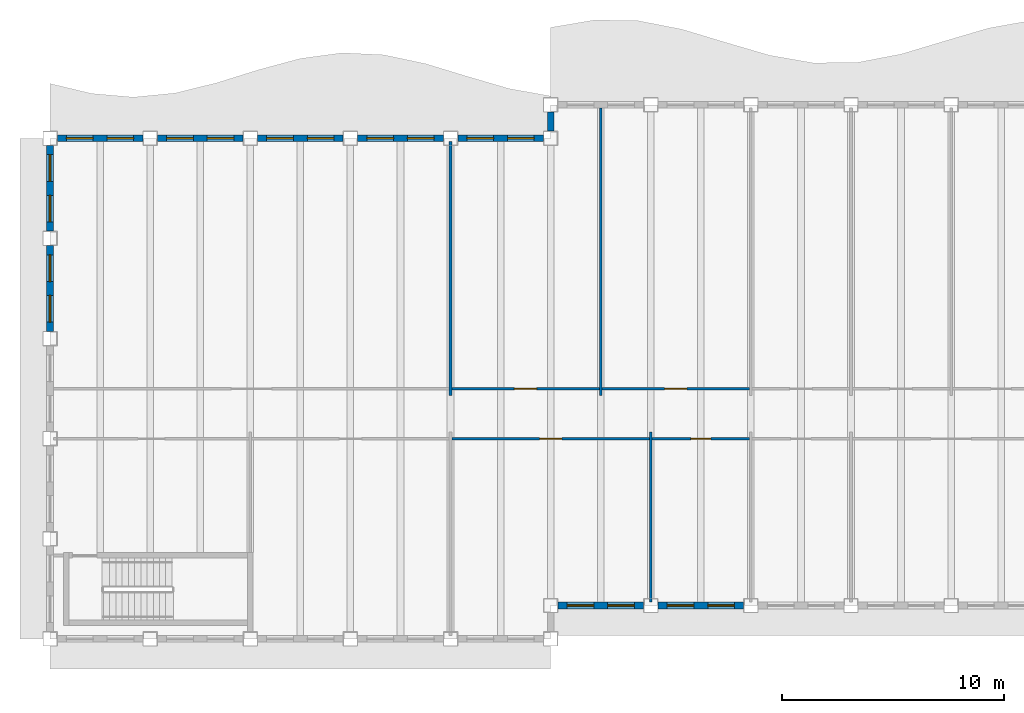
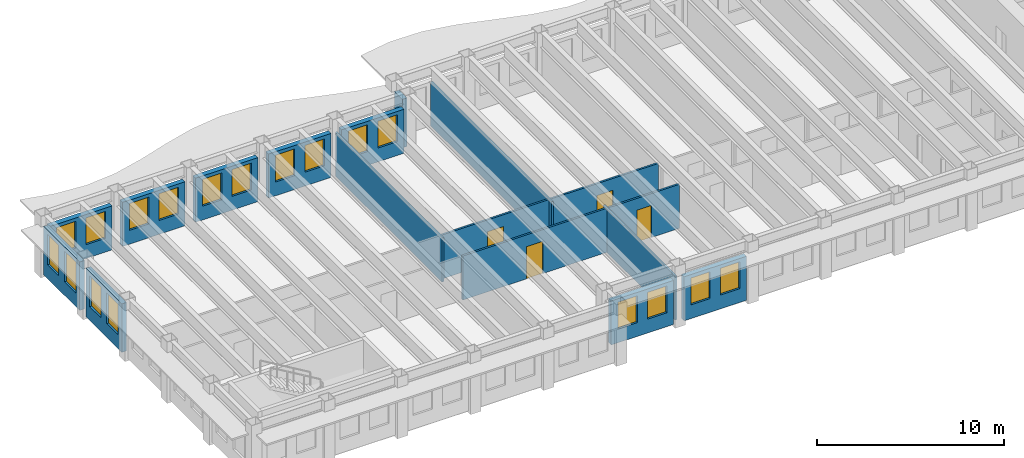
# One storey, part 3 of 12: 18 windows, 17 walls, 4 doors, 22 openings.
"""IFC4 building model written with IfcOpenShell, lengths in metres."""

from ifc_helpers import new_model, si_unit, direction, frame, frame_2d, origin, place, context, subcontext, project, spatial, rectangle, extrude, material, layer, layer_set, type_object, element, fill, save


model = new_model("IFC4")

# Units and contexts
model_context = context("Model", 3, precision=1e-05, world=origin(), true_north=direction((0.0, 1.0)))
body_context = subcontext(model_context, "Body", "Model", "MODEL_VIEW")
ifc_project = project(units=[si_unit("LENGTHUNIT", "METRE"), si_unit("AREAUNIT", "SQUARE_METRE"), si_unit("VOLUMEUNIT", "CUBIC_METRE"), si_unit("PLANEANGLEUNIT", "RADIAN"), si_unit("MASSUNIT", "GRAM", prefix="KILO")], contexts=[model_context])

# Site, building, storey
site_placement = place(None, origin())
site = spatial("IfcSite", under=ifc_project, at=site_placement, CompositionType="ELEMENT")
building_placement = place(site_placement, origin())
building = spatial("IfcBuilding", under=site, at=building_placement, Name="Sennacour Bend Tower", CompositionType="ELEMENT")
storey_placement = place(building_placement, frame((0.0, 0.0, 257.0)))
storey = spatial("IfcBuildingStorey", under=building, at=storey_placement, Name="L59", CompositionType="ELEMENT", Elevation=257.0)

# Walls
ifc_material_1 = material(Name="Plasterboard partition on steel studs", Category="steel")
ifc_layer_1 = layer(ifc_material_1, 0.1201171875, Name="Plasterboard partition on steel studs", Category="steel")
ifc_layer_set_1 = layer_set([ifc_layer_1], Name="Plasterboard partition on steel studs")
wall_type_1 = type_object("IfcWallType", Name="Partition 120", PredefinedType="PARTITIONING", material=ifc_layer_set_1)
wall_1_placement = place(storey_placement, frame((18.0, 10.949951171875, 0.0), z_axis=(0.0, 0.0, 1.0), x_axis=(0.0, 1.0, 0.0)))
element("IfcWall", 1, at=wall_1_placement, inside=storey, type_object=wall_type_1, Name="P-L59-W007a", PredefinedType="PARTITIONING", context=body_context, shape_type="SweptSolid", body=[
    extrude(rectangle(XDim=11.400146484375, YDim=0.1201171875, at=frame_2d((5.7001953125, 0.0))), origin(), (0.0, 0.0, 1.0), 2.8701171875),
])
wall_2_placement = place(storey_placement, frame((24.75, 10.949951171875, 0.0), z_axis=(0.0, 0.0, 1.0), x_axis=(0.0, 1.0, 0.0)))
element("IfcWall", 2, at=wall_2_placement, inside=storey, type_object=wall_type_1, Name="P-L59-W008a", PredefinedType="PARTITIONING", context=body_context, shape_type="SweptSolid", body=[
    extrude(rectangle(XDim=12.900146484375, YDim=0.1201171875, at=frame_2d((6.4501953125, 0.0))), origin(), (0.0, 0.0, 1.0), 2.8701171875),
])
wall_3_placement = place(storey_placement, frame((27.0, 1.64990234375, 0.0), z_axis=(0.0, 0.0, 1.0), x_axis=(0.0, 1.0, 0.0)))
element("IfcWall", 3, at=wall_3_placement, inside=storey, type_object=wall_type_1, Name="P-L59-W009a", PredefinedType="PARTITIONING", context=body_context, shape_type="SweptSolid", body=[
    extrude(rectangle(XDim=7.650146484375, YDim=0.1201171875, at=frame_2d((3.8251953125, 0.0))), origin(), (0.0, 0.0, 1.0), 2.8701171875),
])

# Wall, opening, door
wall_4_placement = place(storey_placement, frame((18.06005859375, 9.0, 0.0), z_axis=(0.0, 0.0, 1.0), x_axis=(1.0, 0.0, 0.0)))
wall_4 = element("IfcWall", 4, at=wall_4_placement, inside=storey, type_object=wall_type_1, Name="P-L59-W043ac", PredefinedType="PARTITIONING", context=body_context, shape_type="SweptSolid", body=[
    extrude(rectangle(XDim=8.8798828125, YDim=0.1201171875, at=frame_2d((4.43994140625, 0.0))), origin(), (0.0, 0.0, 1.0), 2.8701171875),
])
opening_1_placement = place(wall_4_placement, frame((3.93994140625, 0.0, 0.0)))
opening_1 = element("IfcOpeningElement", 5, at=opening_1_placement, cuts=wall_4, Name="Opening OD2", PredefinedType="OPENING", context=body_context, shape_type="SweptSolid", body=[
    extrude(rectangle(XDim=1.0, YDim=2.10009765625, at=frame_2d((0.5, 1.050048828125))), frame((0.0, 0.070068359375, 0.0), z_axis=(0.0, -1.0, 0.0), x_axis=(1.0, 0.0, 0.0)), (0.0, 0.0, 1.0), 0.14013671875),
])
ifc_material_2 = material(Name="Timber", Category="wood")
door_type_1 = type_object("IfcDoorType", Name="DR-OFFICE-1000", OperationType="NOTDEFINED", PredefinedType="DOOR", material=ifc_material_2)
door_1_placement = place(opening_1_placement, origin())
door_1 = element("IfcDoor", 6, at=door_1_placement, inside=storey, type_object=door_type_1, Name="Door", OperationType="SINGLE_SWING_LEFT", OverallHeight=2.10009765625, OverallWidth=1.0, PredefinedType="DOOR", context=body_context, shape_type="SweptSolid", body=[
    extrude(rectangle(XDim=1.0, YDim=2.10009765625, at=frame_2d((0.5, 1.050048828125))), frame((0.0, 0.02490234375, 0.0), z_axis=(0.0, -1.0, 0.0), x_axis=(1.0, 0.0, 0.0)), (0.0, 0.0, 1.0), 0.050048828125),
])
fill(opening_1, door_1)

wall_5_placement = place(storey_placement, frame((18.06005859375, 11.25, 0.0), z_axis=(0.0, 0.0, 1.0), x_axis=(1.0, 0.0, 0.0)))
wall_5 = element("IfcWall", 7, at=wall_5_placement, inside=storey, type_object=wall_type_1, Name="P-L59-W046ab", PredefinedType="PARTITIONING", context=body_context, shape_type="SweptSolid", body=[
    extrude(rectangle(XDim=6.6298828125, YDim=0.1201171875, at=frame_2d((3.31494140625, 0.0))), origin(), (0.0, 0.0, 1.0), 2.8701171875),
])
opening_2_placement = place(wall_5_placement, frame((2.81494140625, 0.0, 0.0)))
opening_2 = element("IfcOpeningElement", 8, at=opening_2_placement, cuts=wall_5, Name="Opening OD2", PredefinedType="OPENING", context=body_context, shape_type="SweptSolid", body=[
    extrude(rectangle(XDim=1.0, YDim=2.10009765625, at=frame_2d((0.5, 1.050048828125))), frame((0.0, 0.070068359375, 0.0), z_axis=(0.0, -1.0, 0.0), x_axis=(1.0, 0.0, 0.0)), (0.0, 0.0, 1.0), 0.14013671875),
])
door_2_placement = place(opening_2_placement, origin())
door_2 = element("IfcDoor", 9, at=door_2_placement, inside=storey, type_object=door_type_1, Name="Door", OperationType="SINGLE_SWING_LEFT", OverallHeight=2.10009765625, OverallWidth=1.0, PredefinedType="DOOR", context=body_context, shape_type="SweptSolid", body=[
    extrude(rectangle(XDim=1.0, YDim=2.10009765625, at=frame_2d((0.5, 1.050048828125))), frame((0.0, 0.02490234375, 0.0), z_axis=(0.0, -1.0, 0.0), x_axis=(1.0, 0.0, 0.0)), (0.0, 0.0, 1.0), 0.050048828125),
])
fill(opening_2, door_2)

wall_6_placement = place(storey_placement, frame((24.81005859375, 11.25, 0.0), z_axis=(0.0, 0.0, 1.0), x_axis=(1.0, 0.0, 0.0)))
wall_6 = element("IfcWall", 10, at=wall_6_placement, inside=storey, type_object=wall_type_1, Name="P-L59-W046ac", PredefinedType="PARTITIONING", context=body_context, shape_type="SweptSolid", body=[
    extrude(rectangle(XDim=6.6298828125, YDim=0.1201171875, at=frame_2d((3.31494140625, 0.0))), origin(), (0.0, 0.0, 1.0), 2.8701171875),
])
opening_3_placement = place(wall_6_placement, frame((2.81494140625, 0.0, 0.0)))
opening_3 = element("IfcOpeningElement", 11, at=opening_3_placement, cuts=wall_6, Name="Opening OD2", PredefinedType="OPENING", context=body_context, shape_type="SweptSolid", body=[
    extrude(rectangle(XDim=1.0, YDim=2.10009765625, at=frame_2d((0.5, 1.050048828125))), frame((0.0, 0.070068359375, 0.0), z_axis=(0.0, -1.0, 0.0), x_axis=(1.0, 0.0, 0.0)), (0.0, 0.0, 1.0), 0.14013671875),
])
door_3_placement = place(opening_3_placement, origin())
door_3 = element("IfcDoor", 12, at=door_3_placement, inside=storey, type_object=door_type_1, Name="Door", OperationType="SINGLE_SWING_LEFT", OverallHeight=2.10009765625, OverallWidth=1.0, PredefinedType="DOOR", context=body_context, shape_type="SweptSolid", body=[
    extrude(rectangle(XDim=1.0, YDim=2.10009765625, at=frame_2d((0.5, 1.050048828125))), frame((0.0, 0.02490234375, 0.0), z_axis=(0.0, -1.0, 0.0), x_axis=(1.0, 0.0, 0.0)), (0.0, 0.0, 1.0), 0.050048828125),
])
fill(opening_3, door_3)

ifc_layer_2 = layer(ifc_material_1, 0.1201171875, Name="Plasterboard partition on steel studs", Category="steel")
ifc_layer_set_2 = layer_set([ifc_layer_2], Name="Plasterboard partition on steel studs")
wall_type_2 = type_object("IfcWallType", Name="Partition 120 EI 60", PredefinedType="PARTITIONING", material=ifc_layer_set_2)
wall_7_placement = place(storey_placement, frame((27.06005859375, 9.0, 0.0), z_axis=(0.0, 0.0, 1.0), x_axis=(1.0, 0.0, 0.0)))
wall_7 = element("IfcWall", 13, at=wall_7_placement, inside=storey, type_object=wall_type_2, Name="P-L59-W043ad", PredefinedType="PARTITIONING", context=body_context, shape_type="SweptSolid", body=[
    extrude(rectangle(XDim=4.3798828125, YDim=0.1201171875, at=frame_2d((2.18994140625, 0.0))), origin(), (0.0, 0.0, 1.0), 2.8701171875),
])
opening_4_placement = place(wall_7_placement, frame((1.739990234375, 0.0, 0.0)))
opening_4 = element("IfcOpeningElement", 14, at=opening_4_placement, cuts=wall_7, Name="Opening SV", PredefinedType="OPENING", context=body_context, shape_type="SweptSolid", body=[
    extrude(rectangle(XDim=0.89990234375, YDim=2.10009765625, at=frame_2d((0.449951171875, 1.050048828125))), frame((0.0, 0.070068359375, 0.0), z_axis=(0.0, -1.0, 0.0), x_axis=(1.0, 0.0, 0.0)), (0.0, 0.0, 1.0), 0.14013671875),
])
ifc_material_3 = material(Name="Painted steel", Category="steel")
door_type_2 = type_object("IfcDoorType", Name="DR-SERVICE-900", OperationType="NOTDEFINED", PredefinedType="DOOR", material=ifc_material_3)
door_4_placement = place(opening_4_placement, origin())
door_4 = element("IfcDoor", 15, at=door_4_placement, inside=storey, type_object=door_type_2, Name="Door", OperationType="SINGLE_SWING_LEFT", OverallHeight=2.10009765625, OverallWidth=0.89990234375, PredefinedType="DOOR", context=body_context, shape_type="SweptSolid", body=[
    extrude(rectangle(XDim=0.89990234375, YDim=2.10009765625, at=frame_2d((0.449951171875, 1.050048828125))), frame((0.0, 0.02490234375, 0.0), z_axis=(0.0, -1.0, 0.0), x_axis=(1.0, 0.0, 0.0)), (0.0, 0.0, 1.0), 0.050048828125),
])
fill(opening_4, door_4)

# Wall, openings, windows
ifc_material_4 = material(Name="Warm limestone cladding", Category="masonry")
ifc_layer_3 = layer(ifc_material_4, 0.050048828125, Name="Warm limestone cladding", Category="masonry")
ifc_material_5 = material(Name="Precast concrete C40/50", Category="concrete")
ifc_layer_4 = layer(ifc_material_5, 0.25, Name="Precast concrete C40/50", Category="concrete")
ifc_layer_set_3 = layer_set([ifc_layer_3, ifc_layer_4], Name="Precast concrete C40/50 with limestone cladding")
wall_type_3 = type_object("IfcWallType", Name="STONE-CLAD PRECAST SPANDREL 300", PredefinedType="STANDARD", material=ifc_layer_set_3)
wall_8_placement = place(storey_placement, frame((22.824951171875, 1.5, 0.0), z_axis=(0.0, 0.0, 1.0), x_axis=(1.0, 0.0, 0.0)))
wall_8 = element("IfcWall", 16, at=wall_8_placement, inside=storey, type_object=wall_type_3, Name="Stone spandrel and pier wall L59 01.00", PredefinedType="STANDARD", context=body_context, shape_type="SweptSolid", body=[
    extrude(rectangle(XDim=3.85009765625, YDim=0.300048828125, at=frame_2d((1.925048828125, 0.0))), origin(), (0.0, 0.0, 1.0), 2.8701171875),
])
opening_5_placement = place(wall_8_placement, frame((0.41259765625, 0.0, 0.89990234375)))
opening_5 = element("IfcOpeningElement", 17, at=opening_5_placement, cuts=wall_8, Name="Opening W16", PredefinedType="OPENING", context=body_context, shape_type="SweptSolid", body=[
    extrude(rectangle(XDim=1.199951171875, YDim=1.75, at=frame_2d((0.60009765625, 0.875))), frame((0.0, 0.16015625, 0.0), z_axis=(0.0, -1.0, 0.0), x_axis=(1.0, 0.0, 0.0)), (0.0, 0.0, 1.0), 0.320068359375),
])
opening_6_placement = place(wall_8_placement, frame((2.237548828125, 0.0, 0.89990234375)))
opening_6 = element("IfcOpeningElement", 18, at=opening_6_placement, cuts=wall_8, Name="Opening W16", PredefinedType="OPENING", context=body_context, shape_type="SweptSolid", body=[
    extrude(rectangle(XDim=1.199951171875, YDim=1.75, at=frame_2d((0.60009765625, 0.875))), frame((0.0, 0.16015625, 0.0), z_axis=(0.0, -1.0, 0.0), x_axis=(1.0, 0.0, 0.0)), (0.0, 0.0, 1.0), 0.320068359375),
])
ifc_material_6 = material(Name="Clear low-emissivity glass", Category="glass")
window_type_1 = type_object("IfcWindowType", Name="WIN-RIBBON-1200x1750", PartitioningType="SINGLE_PANEL", PredefinedType="WINDOW", material=ifc_material_6)
window_1_placement = place(opening_5_placement, origin())
window_1 = element("IfcWindow", 19, at=window_1_placement, inside=storey, type_object=window_type_1, Name="Ribbon window L59 01.00.0", OverallHeight=1.75, OverallWidth=1.199951171875, PartitioningType="SINGLE_PANEL", PredefinedType="WINDOW", context=body_context, shape_type="SweptSolid", body=[
    extrude(rectangle(XDim=1.199951171875, YDim=1.75, at=frame_2d((0.60009765625, 0.875))), frame((0.0, 0.030029296875, 0.0), z_axis=(0.0, -1.0, 0.0), x_axis=(1.0, 0.0, 0.0)), (0.0, 0.0, 1.0), 0.06005859375),
])
fill(opening_5, window_1)
window_2_placement = place(opening_6_placement, origin())
window_2 = element("IfcWindow", 20, at=window_2_placement, inside=storey, type_object=window_type_1, Name="Ribbon window L59 01.00.1", OverallHeight=1.75, OverallWidth=1.199951171875, PartitioningType="SINGLE_PANEL", PredefinedType="WINDOW", context=body_context, shape_type="SweptSolid", body=[
    extrude(rectangle(XDim=1.199951171875, YDim=1.75, at=frame_2d((0.60009765625, 0.875))), frame((0.0, 0.030029296875, 0.0), z_axis=(0.0, -1.0, 0.0), x_axis=(1.0, 0.0, 0.0)), (0.0, 0.0, 1.0), 0.06005859375),
])
fill(opening_6, window_2)

wall_9_placement = place(storey_placement, frame((27.324951171875, 1.5, 0.0), z_axis=(0.0, 0.0, 1.0), x_axis=(1.0, 0.0, 0.0)))
wall_9 = element("IfcWall", 21, at=wall_9_placement, inside=storey, type_object=wall_type_3, Name="Stone spandrel and pier wall L59 01.01", PredefinedType="STANDARD", context=body_context, shape_type="SweptSolid", body=[
    extrude(rectangle(XDim=3.85009765625, YDim=0.300048828125, at=frame_2d((1.925048828125, 0.0))), origin(), (0.0, 0.0, 1.0), 2.8701171875),
])
opening_7_placement = place(wall_9_placement, frame((0.41259765625, 0.0, 0.89990234375)))
opening_7 = element("IfcOpeningElement", 22, at=opening_7_placement, cuts=wall_9, Name="Opening W16", PredefinedType="OPENING", context=body_context, shape_type="SweptSolid", body=[
    extrude(rectangle(XDim=1.199951171875, YDim=1.75, at=frame_2d((0.60009765625, 0.875))), frame((0.0, 0.16015625, 0.0), z_axis=(0.0, -1.0, 0.0), x_axis=(1.0, 0.0, 0.0)), (0.0, 0.0, 1.0), 0.320068359375),
])
opening_8_placement = place(wall_9_placement, frame((2.237548828125, 0.0, 0.89990234375)))
opening_8 = element("IfcOpeningElement", 23, at=opening_8_placement, cuts=wall_9, Name="Opening W16", PredefinedType="OPENING", context=body_context, shape_type="SweptSolid", body=[
    extrude(rectangle(XDim=1.199951171875, YDim=1.75, at=frame_2d((0.60009765625, 0.875))), frame((0.0, 0.16015625, 0.0), z_axis=(0.0, -1.0, 0.0), x_axis=(1.0, 0.0, 0.0)), (0.0, 0.0, 1.0), 0.320068359375),
])
window_3_placement = place(opening_7_placement, origin())
window_3 = element("IfcWindow", 24, at=window_3_placement, inside=storey, type_object=window_type_1, Name="Ribbon window L59 01.01.0", OverallHeight=1.75, OverallWidth=1.199951171875, PartitioningType="SINGLE_PANEL", PredefinedType="WINDOW", context=body_context, shape_type="SweptSolid", body=[
    extrude(rectangle(XDim=1.199951171875, YDim=1.75, at=frame_2d((0.60009765625, 0.875))), frame((0.0, 0.030029296875, 0.0), z_axis=(0.0, -1.0, 0.0), x_axis=(1.0, 0.0, 0.0)), (0.0, 0.0, 1.0), 0.06005859375),
])
fill(opening_7, window_3)
window_4_placement = place(opening_8_placement, origin())
window_4 = element("IfcWindow", 25, at=window_4_placement, inside=storey, type_object=window_type_1, Name="Ribbon window L59 01.01.1", OverallHeight=1.75, OverallWidth=1.199951171875, PartitioningType="SINGLE_PANEL", PredefinedType="WINDOW", context=body_context, shape_type="SweptSolid", body=[
    extrude(rectangle(XDim=1.199951171875, YDim=1.75, at=frame_2d((0.60009765625, 0.875))), frame((0.0, 0.030029296875, 0.0), z_axis=(0.0, -1.0, 0.0), x_axis=(1.0, 0.0, 0.0)), (0.0, 0.0, 1.0), 0.06005859375),
])
fill(opening_8, window_4)

# Wall
wall_10_placement = place(storey_placement, frame((22.5, 23.675048828125, 0.0), z_axis=(0.0, 0.0, 1.0), x_axis=(0.0, -1.0, 0.0)))
element("IfcWall", 26, at=wall_10_placement, inside=storey, type_object=wall_type_3, Name="Stone spandrel and pier wall L59 08.00", PredefinedType="STANDARD", context=body_context, shape_type="SweptSolid", body=[
    extrude(rectangle(XDim=0.85009765625, YDim=0.300048828125, at=frame_2d((0.425048828125, 0.0))), origin(), (0.0, 0.0, 1.0), 3.162109375),
])

# Wall, openings, windows
wall_11_placement = place(storey_placement, frame((22.175048828125, 22.5, 0.0), z_axis=(0.0, 0.0, 1.0), x_axis=(-1.0, 0.0, 0.0)))
wall_11 = element("IfcWall", 27, at=wall_11_placement, inside=storey, type_object=wall_type_3, Name="Stone spandrel and pier wall L59 09.00", PredefinedType="STANDARD", context=body_context, shape_type="SweptSolid", body=[
    extrude(rectangle(XDim=3.85009765625, YDim=0.300048828125, at=frame_2d((1.925048828125, 0.0))), origin(), (0.0, 0.0, 1.0), 2.8701171875),
])
opening_9_placement = place(wall_11_placement, frame((0.41259765625, 0.0, 0.89990234375)))
opening_9 = element("IfcOpeningElement", 28, at=opening_9_placement, cuts=wall_11, Name="Opening W16", PredefinedType="OPENING", context=body_context, shape_type="SweptSolid", body=[
    extrude(rectangle(XDim=1.199951171875, YDim=1.75, at=frame_2d((0.60009765625, 0.875))), frame((0.0, 0.16015625, 0.0), z_axis=(0.0, -1.0, 0.0), x_axis=(1.0, 0.0, 0.0)), (0.0, 0.0, 1.0), 0.320068359375),
])
opening_10_placement = place(wall_11_placement, frame((2.237548828125, 0.0, 0.89990234375)))
opening_10 = element("IfcOpeningElement", 29, at=opening_10_placement, cuts=wall_11, Name="Opening W16", PredefinedType="OPENING", context=body_context, shape_type="SweptSolid", body=[
    extrude(rectangle(XDim=1.199951171875, YDim=1.75, at=frame_2d((0.60009765625, 0.875))), frame((0.0, 0.16015625, 0.0), z_axis=(0.0, -1.0, 0.0), x_axis=(1.0, 0.0, 0.0)), (0.0, 0.0, 1.0), 0.320068359375),
])
window_5_placement = place(opening_9_placement, origin())
window_5 = element("IfcWindow", 30, at=window_5_placement, inside=storey, type_object=window_type_1, Name="Ribbon window L59 09.00.0", OverallHeight=1.75, OverallWidth=1.199951171875, PartitioningType="SINGLE_PANEL", PredefinedType="WINDOW", context=body_context, shape_type="SweptSolid", body=[
    extrude(rectangle(XDim=1.199951171875, YDim=1.75, at=frame_2d((0.60009765625, 0.875))), frame((0.0, 0.030029296875, 0.0), z_axis=(0.0, -1.0, 0.0), x_axis=(1.0, 0.0, 0.0)), (0.0, 0.0, 1.0), 0.06005859375),
])
fill(opening_9, window_5)
window_6_placement = place(opening_10_placement, origin())
window_6 = element("IfcWindow", 31, at=window_6_placement, inside=storey, type_object=window_type_1, Name="Ribbon window L59 09.00.1", OverallHeight=1.75, OverallWidth=1.199951171875, PartitioningType="SINGLE_PANEL", PredefinedType="WINDOW", context=body_context, shape_type="SweptSolid", body=[
    extrude(rectangle(XDim=1.199951171875, YDim=1.75, at=frame_2d((0.60009765625, 0.875))), frame((0.0, 0.030029296875, 0.0), z_axis=(0.0, -1.0, 0.0), x_axis=(1.0, 0.0, 0.0)), (0.0, 0.0, 1.0), 0.06005859375),
])
fill(opening_10, window_6)

wall_12_placement = place(storey_placement, frame((17.675048828125, 22.5, 0.0), z_axis=(0.0, 0.0, 1.0), x_axis=(-1.0, 0.0, 0.0)))
wall_12 = element("IfcWall", 32, at=wall_12_placement, inside=storey, type_object=wall_type_3, Name="Stone spandrel and pier wall L59 09.01", PredefinedType="STANDARD", context=body_context, shape_type="SweptSolid", body=[
    extrude(rectangle(XDim=3.85009765625, YDim=0.300048828125, at=frame_2d((1.925048828125, 0.0))), origin(), (0.0, 0.0, 1.0), 2.8701171875),
])
opening_11_placement = place(wall_12_placement, frame((0.41259765625, 0.0, 0.89990234375)))
opening_11 = element("IfcOpeningElement", 33, at=opening_11_placement, cuts=wall_12, Name="Opening W16", PredefinedType="OPENING", context=body_context, shape_type="SweptSolid", body=[
    extrude(rectangle(XDim=1.199951171875, YDim=1.75, at=frame_2d((0.60009765625, 0.875))), frame((0.0, 0.16015625, 0.0), z_axis=(0.0, -1.0, 0.0), x_axis=(1.0, 0.0, 0.0)), (0.0, 0.0, 1.0), 0.320068359375),
])
opening_12_placement = place(wall_12_placement, frame((2.237548828125, 0.0, 0.89990234375)))
opening_12 = element("IfcOpeningElement", 34, at=opening_12_placement, cuts=wall_12, Name="Opening W16", PredefinedType="OPENING", context=body_context, shape_type="SweptSolid", body=[
    extrude(rectangle(XDim=1.199951171875, YDim=1.75, at=frame_2d((0.60009765625, 0.875))), frame((0.0, 0.16015625, 0.0), z_axis=(0.0, -1.0, 0.0), x_axis=(1.0, 0.0, 0.0)), (0.0, 0.0, 1.0), 0.320068359375),
])
window_7_placement = place(opening_11_placement, origin())
window_7 = element("IfcWindow", 35, at=window_7_placement, inside=storey, type_object=window_type_1, Name="Ribbon window L59 09.01.0", OverallHeight=1.75, OverallWidth=1.199951171875, PartitioningType="SINGLE_PANEL", PredefinedType="WINDOW", context=body_context, shape_type="SweptSolid", body=[
    extrude(rectangle(XDim=1.199951171875, YDim=1.75, at=frame_2d((0.60009765625, 0.875))), frame((0.0, 0.030029296875, 0.0), z_axis=(0.0, -1.0, 0.0), x_axis=(1.0, 0.0, 0.0)), (0.0, 0.0, 1.0), 0.06005859375),
])
fill(opening_11, window_7)
window_8_placement = place(opening_12_placement, origin())
window_8 = element("IfcWindow", 36, at=window_8_placement, inside=storey, type_object=window_type_1, Name="Ribbon window L59 09.01.1", OverallHeight=1.75, OverallWidth=1.199951171875, PartitioningType="SINGLE_PANEL", PredefinedType="WINDOW", context=body_context, shape_type="SweptSolid", body=[
    extrude(rectangle(XDim=1.199951171875, YDim=1.75, at=frame_2d((0.60009765625, 0.875))), frame((0.0, 0.030029296875, 0.0), z_axis=(0.0, -1.0, 0.0), x_axis=(1.0, 0.0, 0.0)), (0.0, 0.0, 1.0), 0.06005859375),
])
fill(opening_12, window_8)

wall_13_placement = place(storey_placement, frame((13.175048828125, 22.5, 0.0), z_axis=(0.0, 0.0, 1.0), x_axis=(-1.0, 0.0, 0.0)))
wall_13 = element("IfcWall", 37, at=wall_13_placement, inside=storey, type_object=wall_type_3, Name="Stone spandrel and pier wall L59 09.02", PredefinedType="STANDARD", context=body_context, shape_type="SweptSolid", body=[
    extrude(rectangle(XDim=3.85009765625, YDim=0.300048828125, at=frame_2d((1.925048828125, 0.0))), origin(), (0.0, 0.0, 1.0), 2.8701171875),
])
opening_13_placement = place(wall_13_placement, frame((0.41259765625, 0.0, 0.89990234375)))
opening_13 = element("IfcOpeningElement", 38, at=opening_13_placement, cuts=wall_13, Name="Opening W16", PredefinedType="OPENING", context=body_context, shape_type="SweptSolid", body=[
    extrude(rectangle(XDim=1.199951171875, YDim=1.75, at=frame_2d((0.60009765625, 0.875))), frame((0.0, 0.16015625, 0.0), z_axis=(0.0, -1.0, 0.0), x_axis=(1.0, 0.0, 0.0)), (0.0, 0.0, 1.0), 0.320068359375),
])
opening_14_placement = place(wall_13_placement, frame((2.237548828125, 0.0, 0.89990234375)))
opening_14 = element("IfcOpeningElement", 39, at=opening_14_placement, cuts=wall_13, Name="Opening W16", PredefinedType="OPENING", context=body_context, shape_type="SweptSolid", body=[
    extrude(rectangle(XDim=1.199951171875, YDim=1.75, at=frame_2d((0.60009765625, 0.875))), frame((0.0, 0.16015625, 0.0), z_axis=(0.0, -1.0, 0.0), x_axis=(1.0, 0.0, 0.0)), (0.0, 0.0, 1.0), 0.320068359375),
])
window_9_placement = place(opening_13_placement, origin())
window_9 = element("IfcWindow", 40, at=window_9_placement, inside=storey, type_object=window_type_1, Name="Ribbon window L59 09.02.0", OverallHeight=1.75, OverallWidth=1.199951171875, PartitioningType="SINGLE_PANEL", PredefinedType="WINDOW", context=body_context, shape_type="SweptSolid", body=[
    extrude(rectangle(XDim=1.199951171875, YDim=1.75, at=frame_2d((0.60009765625, 0.875))), frame((0.0, 0.030029296875, 0.0), z_axis=(0.0, -1.0, 0.0), x_axis=(1.0, 0.0, 0.0)), (0.0, 0.0, 1.0), 0.06005859375),
])
fill(opening_13, window_9)
window_10_placement = place(opening_14_placement, origin())
window_10 = element("IfcWindow", 41, at=window_10_placement, inside=storey, type_object=window_type_1, Name="Ribbon window L59 09.02.1", OverallHeight=1.75, OverallWidth=1.199951171875, PartitioningType="SINGLE_PANEL", PredefinedType="WINDOW", context=body_context, shape_type="SweptSolid", body=[
    extrude(rectangle(XDim=1.199951171875, YDim=1.75, at=frame_2d((0.60009765625, 0.875))), frame((0.0, 0.030029296875, 0.0), z_axis=(0.0, -1.0, 0.0), x_axis=(1.0, 0.0, 0.0)), (0.0, 0.0, 1.0), 0.06005859375),
])
fill(opening_14, window_10)

wall_14_placement = place(storey_placement, frame((8.675048828125, 22.5, 0.0), z_axis=(0.0, 0.0, 1.0), x_axis=(-1.0, 0.0, 0.0)))
wall_14 = element("IfcWall", 42, at=wall_14_placement, inside=storey, type_object=wall_type_3, Name="Stone spandrel and pier wall L59 09.03", PredefinedType="STANDARD", context=body_context, shape_type="SweptSolid", body=[
    extrude(rectangle(XDim=3.85009765625, YDim=0.300048828125, at=frame_2d((1.925048828125, 0.0))), origin(), (0.0, 0.0, 1.0), 2.8701171875),
])
opening_15_placement = place(wall_14_placement, frame((0.41259765625, 0.0, 0.89990234375)))
opening_15 = element("IfcOpeningElement", 43, at=opening_15_placement, cuts=wall_14, Name="Opening W16", PredefinedType="OPENING", context=body_context, shape_type="SweptSolid", body=[
    extrude(rectangle(XDim=1.199951171875, YDim=1.75, at=frame_2d((0.60009765625, 0.875))), frame((0.0, 0.16015625, 0.0), z_axis=(0.0, -1.0, 0.0), x_axis=(1.0, 0.0, 0.0)), (0.0, 0.0, 1.0), 0.320068359375),
])
opening_16_placement = place(wall_14_placement, frame((2.237548828125, 0.0, 0.89990234375)))
opening_16 = element("IfcOpeningElement", 44, at=opening_16_placement, cuts=wall_14, Name="Opening W16", PredefinedType="OPENING", context=body_context, shape_type="SweptSolid", body=[
    extrude(rectangle(XDim=1.199951171875, YDim=1.75, at=frame_2d((0.60009765625, 0.875))), frame((0.0, 0.16015625, 0.0), z_axis=(0.0, -1.0, 0.0), x_axis=(1.0, 0.0, 0.0)), (0.0, 0.0, 1.0), 0.320068359375),
])
window_11_placement = place(opening_15_placement, origin())
window_11 = element("IfcWindow", 45, at=window_11_placement, inside=storey, type_object=window_type_1, Name="Ribbon window L59 09.03.0", OverallHeight=1.75, OverallWidth=1.199951171875, PartitioningType="SINGLE_PANEL", PredefinedType="WINDOW", context=body_context, shape_type="SweptSolid", body=[
    extrude(rectangle(XDim=1.199951171875, YDim=1.75, at=frame_2d((0.60009765625, 0.875))), frame((0.0, 0.030029296875, 0.0), z_axis=(0.0, -1.0, 0.0), x_axis=(1.0, 0.0, 0.0)), (0.0, 0.0, 1.0), 0.06005859375),
])
fill(opening_15, window_11)
window_12_placement = place(opening_16_placement, origin())
window_12 = element("IfcWindow", 46, at=window_12_placement, inside=storey, type_object=window_type_1, Name="Ribbon window L59 09.03.1", OverallHeight=1.75, OverallWidth=1.199951171875, PartitioningType="SINGLE_PANEL", PredefinedType="WINDOW", context=body_context, shape_type="SweptSolid", body=[
    extrude(rectangle(XDim=1.199951171875, YDim=1.75, at=frame_2d((0.60009765625, 0.875))), frame((0.0, 0.030029296875, 0.0), z_axis=(0.0, -1.0, 0.0), x_axis=(1.0, 0.0, 0.0)), (0.0, 0.0, 1.0), 0.06005859375),
])
fill(opening_16, window_12)

wall_15_placement = place(storey_placement, frame((4.175048828125, 22.5, 0.0), z_axis=(0.0, 0.0, 1.0), x_axis=(-1.0, 0.0, 0.0)))
wall_15 = element("IfcWall", 47, at=wall_15_placement, inside=storey, type_object=wall_type_3, Name="Stone spandrel and pier wall L59 09.04", PredefinedType="STANDARD", context=body_context, shape_type="SweptSolid", body=[
    extrude(rectangle(XDim=3.85009765625, YDim=0.300048828125, at=frame_2d((1.925048828125, 0.0))), origin(), (0.0, 0.0, 1.0), 2.8701171875),
])
opening_17_placement = place(wall_15_placement, frame((0.41259765625, 0.0, 0.89990234375)))
opening_17 = element("IfcOpeningElement", 48, at=opening_17_placement, cuts=wall_15, Name="Opening W16", PredefinedType="OPENING", context=body_context, shape_type="SweptSolid", body=[
    extrude(rectangle(XDim=1.199951171875, YDim=1.75, at=frame_2d((0.60009765625, 0.875))), frame((0.0, 0.16015625, 0.0), z_axis=(0.0, -1.0, 0.0), x_axis=(1.0, 0.0, 0.0)), (0.0, 0.0, 1.0), 0.320068359375),
])
opening_18_placement = place(wall_15_placement, frame((2.237548828125, 0.0, 0.89990234375)))
opening_18 = element("IfcOpeningElement", 49, at=opening_18_placement, cuts=wall_15, Name="Opening W16", PredefinedType="OPENING", context=body_context, shape_type="SweptSolid", body=[
    extrude(rectangle(XDim=1.199951171875, YDim=1.75, at=frame_2d((0.60009765625, 0.875))), frame((0.0, 0.16015625, 0.0), z_axis=(0.0, -1.0, 0.0), x_axis=(1.0, 0.0, 0.0)), (0.0, 0.0, 1.0), 0.320068359375),
])
window_13_placement = place(opening_17_placement, origin())
window_13 = element("IfcWindow", 50, at=window_13_placement, inside=storey, type_object=window_type_1, Name="Ribbon window L59 09.04.0", OverallHeight=1.75, OverallWidth=1.199951171875, PartitioningType="SINGLE_PANEL", PredefinedType="WINDOW", context=body_context, shape_type="SweptSolid", body=[
    extrude(rectangle(XDim=1.199951171875, YDim=1.75, at=frame_2d((0.60009765625, 0.875))), frame((0.0, 0.030029296875, 0.0), z_axis=(0.0, -1.0, 0.0), x_axis=(1.0, 0.0, 0.0)), (0.0, 0.0, 1.0), 0.06005859375),
])
fill(opening_17, window_13)
window_14_placement = place(opening_18_placement, origin())
window_14 = element("IfcWindow", 51, at=window_14_placement, inside=storey, type_object=window_type_1, Name="Ribbon window L59 09.04.1", OverallHeight=1.75, OverallWidth=1.199951171875, PartitioningType="SINGLE_PANEL", PredefinedType="WINDOW", context=body_context, shape_type="SweptSolid", body=[
    extrude(rectangle(XDim=1.199951171875, YDim=1.75, at=frame_2d((0.60009765625, 0.875))), frame((0.0, 0.030029296875, 0.0), z_axis=(0.0, -1.0, 0.0), x_axis=(1.0, 0.0, 0.0)), (0.0, 0.0, 1.0), 0.06005859375),
])
fill(opening_18, window_14)

wall_16_placement = place(storey_placement, frame((0.0, 22.175048828125, 0.0), z_axis=(0.0, 0.0, 1.0), x_axis=(0.0, -1.0, 0.0)))
wall_16 = element("IfcWall", 52, at=wall_16_placement, inside=storey, type_object=wall_type_3, Name="Stone spandrel and pier wall L59 10.00", PredefinedType="STANDARD", context=body_context, shape_type="SweptSolid", body=[
    extrude(rectangle(XDim=3.85009765625, YDim=0.300048828125, at=frame_2d((1.925048828125, 0.0))), origin(), (0.0, 0.0, 1.0), 3.162109375),
])
opening_19_placement = place(wall_16_placement, frame((0.41259765625, 0.0, 0.89990234375)))
opening_19 = element("IfcOpeningElement", 53, at=opening_19_placement, cuts=wall_16, Name="Opening W14", PredefinedType="OPENING", context=body_context, shape_type="SweptSolid", body=[
    extrude(rectangle(XDim=1.199951171875, YDim=2.0, at=frame_2d((0.60009765625, 1.0))), frame((0.0, 0.16015625, 0.0), z_axis=(0.0, -1.0, 0.0), x_axis=(1.0, 0.0, 0.0)), (0.0, 0.0, 1.0), 0.320068359375),
])
opening_20_placement = place(wall_16_placement, frame((2.237548828125, 0.0, 0.89990234375)))
opening_20 = element("IfcOpeningElement", 54, at=opening_20_placement, cuts=wall_16, Name="Opening W14", PredefinedType="OPENING", context=body_context, shape_type="SweptSolid", body=[
    extrude(rectangle(XDim=1.199951171875, YDim=2.0, at=frame_2d((0.60009765625, 1.0))), frame((0.0, 0.16015625, 0.0), z_axis=(0.0, -1.0, 0.0), x_axis=(1.0, 0.0, 0.0)), (0.0, 0.0, 1.0), 0.320068359375),
])
window_type_2 = type_object("IfcWindowType", Name="WIN-RIBBON-1200x2000", PartitioningType="SINGLE_PANEL", PredefinedType="WINDOW", material=ifc_material_6)
window_15_placement = place(opening_19_placement, origin())
window_15 = element("IfcWindow", 55, at=window_15_placement, inside=storey, type_object=window_type_2, Name="Ribbon window L59 10.00.0", OverallHeight=2.0, OverallWidth=1.199951171875, PartitioningType="SINGLE_PANEL", PredefinedType="WINDOW", context=body_context, shape_type="SweptSolid", body=[
    extrude(rectangle(XDim=1.199951171875, YDim=2.0, at=frame_2d((0.60009765625, 1.0))), frame((0.0, 0.030029296875, 0.0), z_axis=(0.0, -1.0, 0.0), x_axis=(1.0, 0.0, 0.0)), (0.0, 0.0, 1.0), 0.06005859375),
])
fill(opening_19, window_15)
window_16_placement = place(opening_20_placement, origin())
window_16 = element("IfcWindow", 56, at=window_16_placement, inside=storey, type_object=window_type_2, Name="Ribbon window L59 10.00.1", OverallHeight=2.0, OverallWidth=1.199951171875, PartitioningType="SINGLE_PANEL", PredefinedType="WINDOW", context=body_context, shape_type="SweptSolid", body=[
    extrude(rectangle(XDim=1.199951171875, YDim=2.0, at=frame_2d((0.60009765625, 1.0))), frame((0.0, 0.030029296875, 0.0), z_axis=(0.0, -1.0, 0.0), x_axis=(1.0, 0.0, 0.0)), (0.0, 0.0, 1.0), 0.06005859375),
])
fill(opening_20, window_16)

wall_17_placement = place(storey_placement, frame((0.0, 17.675048828125, 0.0), z_axis=(0.0, 0.0, 1.0), x_axis=(0.0, -1.0, 0.0)))
wall_17 = element("IfcWall", 57, at=wall_17_placement, inside=storey, type_object=wall_type_3, Name="Stone spandrel and pier wall L59 10.01", PredefinedType="STANDARD", context=body_context, shape_type="SweptSolid", body=[
    extrude(rectangle(XDim=3.85009765625, YDim=0.300048828125, at=frame_2d((1.925048828125, 0.0))), origin(), (0.0, 0.0, 1.0), 3.162109375),
])
opening_21_placement = place(wall_17_placement, frame((0.41259765625, 0.0, 0.89990234375)))
opening_21 = element("IfcOpeningElement", 58, at=opening_21_placement, cuts=wall_17, Name="Opening W14", PredefinedType="OPENING", context=body_context, shape_type="SweptSolid", body=[
    extrude(rectangle(XDim=1.199951171875, YDim=2.0, at=frame_2d((0.60009765625, 1.0))), frame((0.0, 0.16015625, 0.0), z_axis=(0.0, -1.0, 0.0), x_axis=(1.0, 0.0, 0.0)), (0.0, 0.0, 1.0), 0.320068359375),
])
opening_22_placement = place(wall_17_placement, frame((2.237548828125, 0.0, 0.89990234375)))
opening_22 = element("IfcOpeningElement", 59, at=opening_22_placement, cuts=wall_17, Name="Opening W14", PredefinedType="OPENING", context=body_context, shape_type="SweptSolid", body=[
    extrude(rectangle(XDim=1.199951171875, YDim=2.0, at=frame_2d((0.60009765625, 1.0))), frame((0.0, 0.16015625, 0.0), z_axis=(0.0, -1.0, 0.0), x_axis=(1.0, 0.0, 0.0)), (0.0, 0.0, 1.0), 0.320068359375),
])
window_17_placement = place(opening_21_placement, origin())
window_17 = element("IfcWindow", 60, at=window_17_placement, inside=storey, type_object=window_type_2, Name="Ribbon window L59 10.01.0", OverallHeight=2.0, OverallWidth=1.199951171875, PartitioningType="SINGLE_PANEL", PredefinedType="WINDOW", context=body_context, shape_type="SweptSolid", body=[
    extrude(rectangle(XDim=1.199951171875, YDim=2.0, at=frame_2d((0.60009765625, 1.0))), frame((0.0, 0.030029296875, 0.0), z_axis=(0.0, -1.0, 0.0), x_axis=(1.0, 0.0, 0.0)), (0.0, 0.0, 1.0), 0.06005859375),
])
fill(opening_21, window_17)
window_18_placement = place(opening_22_placement, origin())
window_18 = element("IfcWindow", 61, at=window_18_placement, inside=storey, type_object=window_type_2, Name="Ribbon window L59 10.01.1", OverallHeight=2.0, OverallWidth=1.199951171875, PartitioningType="SINGLE_PANEL", PredefinedType="WINDOW", context=body_context, shape_type="SweptSolid", body=[
    extrude(rectangle(XDim=1.199951171875, YDim=2.0, at=frame_2d((0.60009765625, 1.0))), frame((0.0, 0.030029296875, 0.0), z_axis=(0.0, -1.0, 0.0), x_axis=(1.0, 0.0, 0.0)), (0.0, 0.0, 1.0), 0.06005859375),
])
fill(opening_22, window_18)

save(model, "model.ifc")
